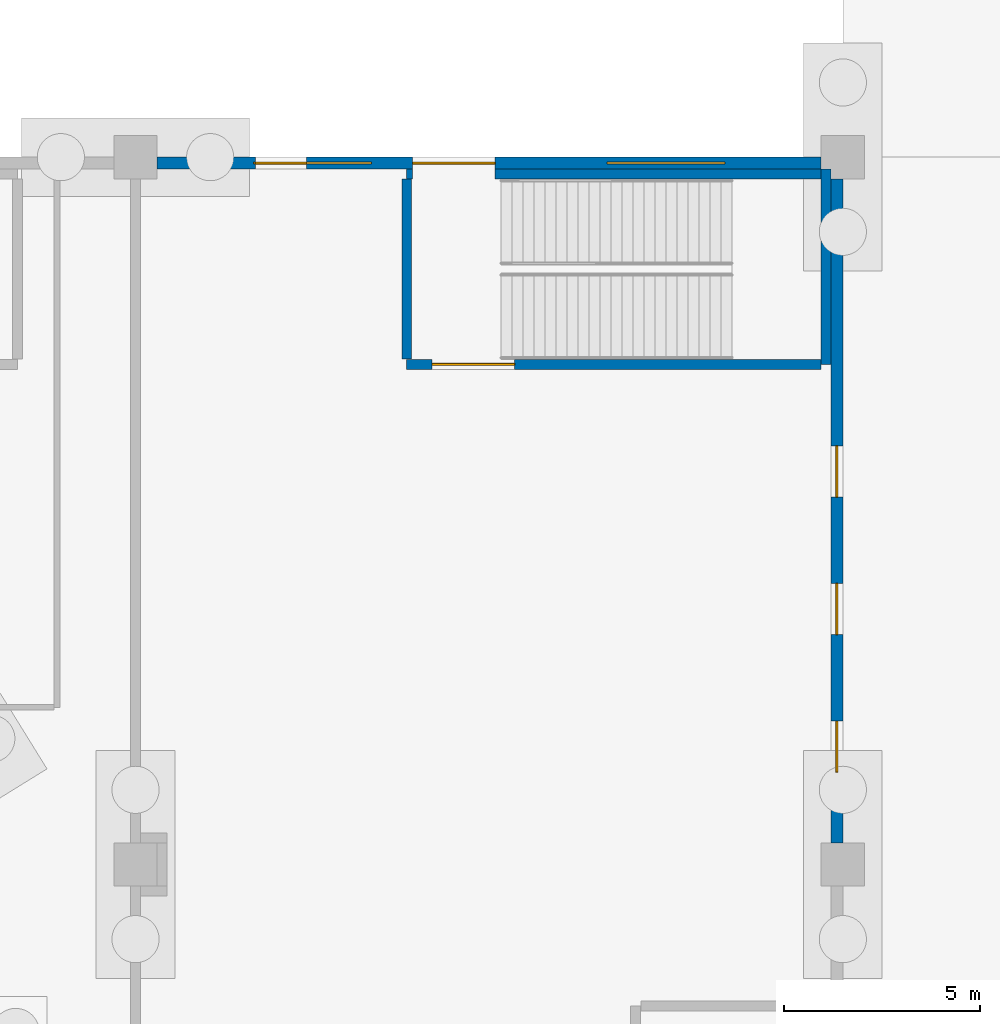
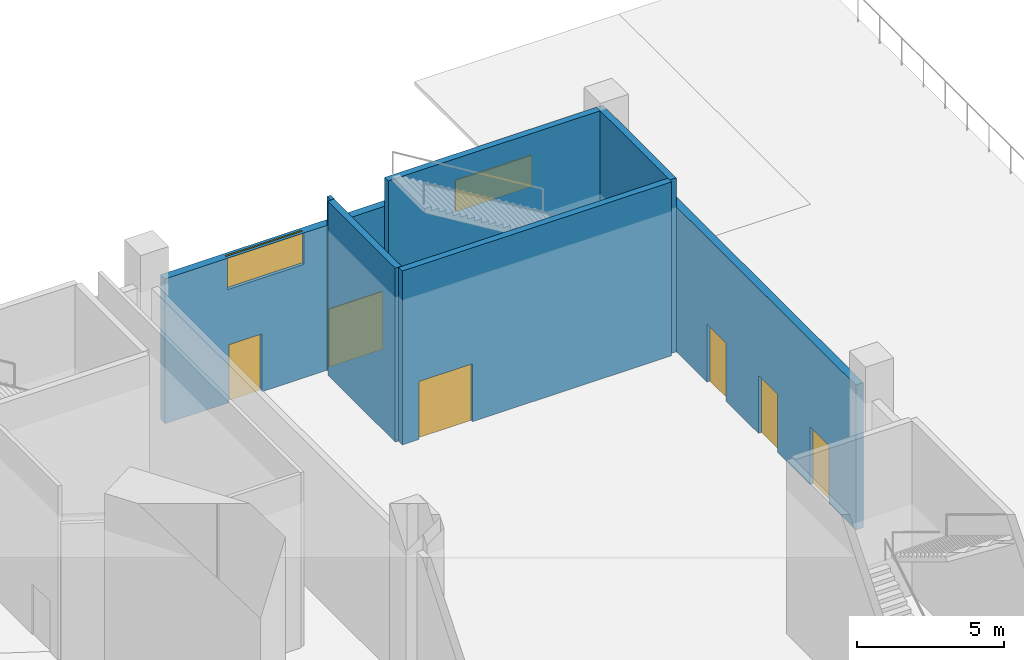
# One storey, part 11 of 16: 7 walls, 6 doors, 2 windows, 8 openings.
"""IFC4 building model written with IfcOpenShell, lengths in metres."""

from ifc_helpers import new_model, si_unit, direction, frame, frame_2d, origin, place, context, subcontext, project, spatial, rectangle, extrude, material, layer, layer_set, type_object, element, fill, save


model = new_model("IFC4")

# Units and contexts
model_context = context("Model", 3, precision=1e-05, world=origin(), true_north=direction((0.0, 1.0)))
body_context = subcontext(model_context, "Body", "Model", "MODEL_VIEW")
ifc_project = project(units=[si_unit("LENGTHUNIT", "METRE"), si_unit("AREAUNIT", "SQUARE_METRE"), si_unit("VOLUMEUNIT", "CUBIC_METRE"), si_unit("PLANEANGLEUNIT", "RADIAN"), si_unit("MASSUNIT", "GRAM", prefix="KILO")], contexts=[model_context])

# Site, building, storey
site_placement = place(None, origin())
site = spatial("IfcSite", under=ifc_project, at=site_placement, CompositionType="ELEMENT")
building_placement = place(site_placement, origin())
building = spatial("IfcBuilding", under=site, at=building_placement, Name="Vanh Sen Convention Tower", CompositionType="ELEMENT")
storey_placement = place(building_placement, origin())
storey = spatial("IfcBuildingStorey", under=building, at=storey_placement, Name="L00", CompositionType="ELEMENT", Elevation=0.0)

# Wall, opening, door
ifc_material_1 = material(Name="Concrete C40/50", Category="concrete")
ifc_layer_1 = layer(ifc_material_1, 0.25)
ifc_layer_set_1 = layer_set([ifc_layer_1], Name="Concrete C40/50")
wall_type_1 = type_object("IfcWallType", Name="Concrete wall 250 REI 180", PredefinedType="SOLIDWALL", material=ifc_layer_set_1)
wall_1_placement = place(storey_placement, frame((44.43994140625, 21.72509765625, 0.0), z_axis=(0.0, 0.0, 1.0), x_axis=(-1.0, 0.0, 0.0)))
wall_1 = element("IfcWall", 1, at=wall_1_placement, inside=storey, type_object=wall_type_1, Name="Fire-resisting wall L00-075", PredefinedType="SOLIDWALL", context=body_context, shape_type="SweptSolid", body=[
    extrude(rectangle(XDim=10.5400390625, YDim=0.25, at=frame_2d((5.27001953125, 0.0))), origin(), (0.0, 0.0, 1.0), 7.199951171875),
])
opening_1_placement = place(wall_1_placement, frame((7.7900390625, 0.0, 0.0)))
opening_1 = element("IfcOpeningElement", 2, at=opening_1_placement, cuts=wall_1, Name="Opening D00115", PredefinedType="OPENING", context=body_context, shape_type="SweptSolid", body=[
    extrude(rectangle(XDim=2.10009765625, YDim=2.39990234375, at=frame_2d((1.050048828125, 1.199951171875))), frame((0.0, 0.135009765625, 0.0), z_axis=(0.0, -1.0, 0.0), x_axis=(1.0, 0.0, 0.0)), (0.0, 0.0, 1.0), 0.27001953125),
])
ifc_material_2 = material(Name="Steel S355", Category="steel")
door_type_1 = type_object("IfcDoorType", Name="Stair door 2100 EI 60", OperationType="DOUBLE_DOOR_SINGLE_SWING", PredefinedType="DOOR", material=ifc_material_2)
door_1_placement = place(opening_1_placement, frame((2.10009765625, 0.0, 0.0), z_axis=(0.0, 0.0, 1.0), x_axis=(-1.0, 0.0, 0.0)))
door_1 = element("IfcDoor", 3, at=door_1_placement, inside=storey, type_object=door_type_1, Name="Stair door D00115", OperationType="DOUBLE_DOOR_SINGLE_SWING", OverallHeight=2.39990234375, OverallWidth=2.10009765625, PredefinedType="DOOR", context=body_context, shape_type="SweptSolid", body=[
    extrude(rectangle(XDim=2.10009765625, YDim=2.39990234375, at=frame_2d((1.050048828125, 1.199951171875))), frame((0.0, 0.02490234375, 0.0), z_axis=(0.0, -1.0, 0.0), x_axis=(1.0, 0.0, 0.0)), (0.0, 0.0, 1.0), 0.050048828125),
])
fill(opening_1, door_1)

# Walls
wall_2_placement = place(storey_placement, frame((33.89990234375, 21.864990234375, 0.0), z_axis=(0.0, 0.0, 1.0), x_axis=(0.0, 1.0, 0.0)))
element("IfcWall", 4, at=wall_2_placement, inside=storey, type_object=wall_type_1, Name="Fire-resisting wall L00-079", PredefinedType="SOLIDWALL", context=body_context, shape_type="SweptSolid", body=[
    extrude(rectangle(XDim=4.574951171875, YDim=0.25, at=frame_2d((2.28759765625, 0.0))), origin(), (0.0, 0.0, 1.0), 7.199951171875),
])
wall_3_placement = place(storey_placement, frame((44.574951171875, 21.72509765625, 0.0), z_axis=(0.0, 0.0, 1.0), x_axis=(0.0, 1.0, 0.0)))
element("IfcWall", 5, at=wall_3_placement, inside=storey, type_object=wall_type_1, Name="Stair enclosure wall PS1 L00", PredefinedType="SOLIDWALL", context=body_context, shape_type="SweptSolid", body=[
    extrude(rectangle(XDim=4.974853515625, YDim=0.25, at=frame_2d((2.4873046875, 0.0))), origin(), (0.0, 0.0, 1.0), 7.199951171875),
])
wall_4_placement = place(storey_placement, frame((44.449951171875, 26.574951171875, 0.0), z_axis=(0.0, 0.0, 1.0), x_axis=(-1.0, 0.0, 0.0)))
element("IfcWall", 6, at=wall_4_placement, inside=storey, type_object=wall_type_1, Name="Stair enclosure wall PS1 L00", PredefinedType="SOLIDWALL", context=body_context, shape_type="SweptSolid", body=[
    extrude(rectangle(XDim=8.300048828125, YDim=0.25, at=frame_2d((4.14990234375, 0.0))), origin(), (0.0, 0.0, 1.0), 7.199951171875),
])
wall_5_placement = place(storey_placement, frame((34.050048828125, 26.574951171875, 0.0), z_axis=(0.0, 0.0, 1.0), x_axis=(-1.0, 0.0, 0.0)))
element("IfcWall", 7, at=wall_5_placement, inside=storey, type_object=wall_type_1, Name="Stair enclosure wall PS1 L00", PredefinedType="SOLIDWALL", context=body_context, shape_type="SweptSolid", body=[
    extrude(rectangle(XDim=0.150146484375, YDim=0.25, at=frame_2d((0.0751953125, 0.0))), origin(), (0.0, 0.0, 1.0), 7.199951171875),
])

# Wall, openings, doors
ifc_material_3 = material(Name="Aluminium-framed structural glazing with clear glass", Category="aluminium")
ifc_layer_2 = layer(ifc_material_3, 0.300048828125)
ifc_layer_set_2 = layer_set([ifc_layer_2], Name="Aluminium-framed structural glazing with clear glass")
wall_type_2 = type_object("IfcWallType", Name="Entrance glazed wall 300", PredefinedType="STANDARD", material=ifc_layer_set_2)
wall_6_placement = place(storey_placement, frame((44.85009765625, 9.550048828125, 0.0), z_axis=(0.0, 0.0, 1.0), x_axis=(0.0, 1.0, 0.0)))
wall_6 = element("IfcWall", 8, at=wall_6_placement, inside=storey, type_object=wall_type_2, Name="Podium wall E3 L00", PredefinedType="STANDARD", context=body_context, shape_type="SweptSolid", body=[
    extrude(rectangle(XDim=16.89990234375, YDim=0.300048828125, at=frame_2d((8.449951171875, 0.0))), origin(), (0.0, 0.0, 1.0), 6.0),
])
opening_2_placement = place(wall_6_placement, frame((1.800048828125, 0.0, 0.0)))
opening_2 = element("IfcOpeningElement", 9, at=opening_2_placement, cuts=wall_6, Name="Opening EX01", PredefinedType="OPENING", context=body_context, shape_type="SweptSolid", body=[
    extrude(rectangle(XDim=1.300048828125, YDim=2.39990234375, at=frame_2d((0.64990234375, 1.199951171875))), frame((0.0, 0.159912109375, 0.0), z_axis=(0.0, -1.0, 0.0), x_axis=(1.0, 0.0, 0.0)), (0.0, 0.0, 1.0), 0.320068359375),
])
opening_3_placement = place(wall_6_placement, frame((5.300048828125, 0.0, 0.0)))
opening_3 = element("IfcOpeningElement", 10, at=opening_3_placement, cuts=wall_6, Name="Opening EX02", PredefinedType="OPENING", context=body_context, shape_type="SweptSolid", body=[
    extrude(rectangle(XDim=1.300048828125, YDim=2.39990234375, at=frame_2d((0.64990234375, 1.199951171875))), frame((0.0, 0.159912109375, 0.0), z_axis=(0.0, -1.0, 0.0), x_axis=(1.0, 0.0, 0.0)), (0.0, 0.0, 1.0), 0.320068359375),
])
opening_4_placement = place(wall_6_placement, frame((8.800048828125, 0.0, 0.0)))
opening_4 = element("IfcOpeningElement", 11, at=opening_4_placement, cuts=wall_6, Name="Opening EX03", PredefinedType="OPENING", context=body_context, shape_type="SweptSolid", body=[
    extrude(rectangle(XDim=1.300048828125, YDim=2.39990234375, at=frame_2d((0.64990234375, 1.199951171875))), frame((0.0, 0.159912109375, 0.0), z_axis=(0.0, -1.0, 0.0), x_axis=(1.0, 0.0, 0.0)), (0.0, 0.0, 1.0), 0.320068359375),
])
ifc_material_4 = material(Name="Aluminium and glass entrance door", Category="aluminium")
door_type_2 = type_object("IfcDoorType", Name="Entrance door 1300", OperationType="SINGLE_SWING_LEFT", PredefinedType="DOOR", material=ifc_material_4)
door_2_placement = place(opening_2_placement, frame((1.300048828125, 0.0, 0.0), z_axis=(0.0, 0.0, 1.0), x_axis=(-1.0, 0.0, 0.0)))
door_2 = element("IfcDoor", 12, at=door_2_placement, inside=storey, type_object=door_type_2, Name="Entrance door EX01", OperationType="SINGLE_SWING_RIGHT", OverallHeight=2.39990234375, OverallWidth=1.300048828125, PredefinedType="DOOR", context=body_context, shape_type="SweptSolid", body=[
    extrude(rectangle(XDim=1.300048828125, YDim=2.39990234375, at=frame_2d((0.64990234375, 1.199951171875))), frame((0.0, 0.02490234375, 0.0), z_axis=(0.0, -1.0, 0.0), x_axis=(1.0, 0.0, 0.0)), (0.0, 0.0, 1.0), 0.050048828125),
])
fill(opening_2, door_2)
door_3_placement = place(opening_3_placement, frame((1.300048828125, 0.0, 0.0), z_axis=(0.0, 0.0, 1.0), x_axis=(-1.0, 0.0, 0.0)))
door_3 = element("IfcDoor", 13, at=door_3_placement, inside=storey, type_object=door_type_2, Name="Entrance door EX02", OperationType="SINGLE_SWING_RIGHT", OverallHeight=2.39990234375, OverallWidth=1.300048828125, PredefinedType="DOOR", context=body_context, shape_type="SweptSolid", body=[
    extrude(rectangle(XDim=1.300048828125, YDim=2.39990234375, at=frame_2d((0.64990234375, 1.199951171875))), frame((0.0, 0.02490234375, 0.0), z_axis=(0.0, -1.0, 0.0), x_axis=(1.0, 0.0, 0.0)), (0.0, 0.0, 1.0), 0.050048828125),
])
fill(opening_3, door_3)
door_4_placement = place(opening_4_placement, frame((1.300048828125, 0.0, 0.0), z_axis=(0.0, 0.0, 1.0), x_axis=(-1.0, 0.0, 0.0)))
door_4 = element("IfcDoor", 14, at=door_4_placement, inside=storey, type_object=door_type_2, Name="Entrance door EX03", OperationType="SINGLE_SWING_RIGHT", OverallHeight=2.39990234375, OverallWidth=1.300048828125, PredefinedType="DOOR", context=body_context, shape_type="SweptSolid", body=[
    extrude(rectangle(XDim=1.300048828125, YDim=2.39990234375, at=frame_2d((0.64990234375, 1.199951171875))), frame((0.0, 0.02490234375, 0.0), z_axis=(0.0, -1.0, 0.0), x_axis=(1.0, 0.0, 0.0)), (0.0, 0.0, 1.0), 0.050048828125),
])
fill(opening_4, door_4)

# Wall, openings, doors, windows
ifc_material_5 = material(Name="Concrete C50/60", Category="concrete")
ifc_layer_3 = layer(ifc_material_5, 0.300048828125)
ifc_layer_set_3 = layer_set([ifc_layer_3], Name="Concrete C50/60")
wall_type_3 = type_object("IfcWallType", Name="Podium wall 300", PredefinedType="STANDARD", material=ifc_layer_set_3)
wall_7_placement = place(storey_placement, frame((44.449951171875, 26.85009765625, 0.0), z_axis=(0.0, 0.0, 1.0), x_axis=(-1.0, 0.0, 0.0)))
wall_7 = element("IfcWall", 15, at=wall_7_placement, inside=storey, type_object=wall_type_3, Name="Podium wall N1 L00", PredefinedType="STANDARD", context=body_context, shape_type="SweptSolid", body=[
    extrude(rectangle(XDim=16.89990234375, YDim=0.300048828125, at=frame_2d((8.449951171875, 0.0))), origin(), (0.0, 0.0, 1.0), 6.0),
])
opening_5_placement = place(wall_7_placement, frame((2.449951171875, 0.0, 4.699951171875)))
opening_5 = element("IfcOpeningElement", 16, at=opening_5_placement, cuts=wall_7, Name="Opening WP1-N1", PredefinedType="OPENING", context=body_context, shape_type="SweptSolid", body=[
    extrude(rectangle(XDim=3.0, YDim=1.300048828125, at=frame_2d((1.5, 0.64990234375))), frame((0.0, 0.159912109375, 0.0), z_axis=(0.0, -1.0, 0.0), x_axis=(1.0, 0.0, 0.0)), (0.0, 0.0, 1.0), 0.320068359375),
])
opening_6_placement = place(wall_7_placement, frame((11.449951171875, 0.0, 4.699951171875)))
opening_6 = element("IfcOpeningElement", 17, at=opening_6_placement, cuts=wall_7, Name="Opening WP1-N2", PredefinedType="OPENING", context=body_context, shape_type="SweptSolid", body=[
    extrude(rectangle(XDim=3.0, YDim=1.300048828125, at=frame_2d((1.5, 0.64990234375))), frame((0.0, 0.159912109375, 0.0), z_axis=(0.0, -1.0, 0.0), x_axis=(1.0, 0.0, 0.0)), (0.0, 0.0, 1.0), 0.320068359375),
])
opening_7_placement = place(wall_7_placement, frame((13.10009765625, 0.0, 0.0)))
opening_7 = element("IfcOpeningElement", 18, at=opening_7_placement, cuts=wall_7, Name="Opening EX07", PredefinedType="OPENING", context=body_context, shape_type="SweptSolid", body=[
    extrude(rectangle(XDim=1.300048828125, YDim=2.39990234375, at=frame_2d((0.64990234375, 1.199951171875))), frame((0.0, 0.159912109375, 0.0), z_axis=(0.0, -1.0, 0.0), x_axis=(1.0, 0.0, 0.0)), (0.0, 0.0, 1.0), 0.320068359375),
])
opening_8_placement = place(wall_7_placement, frame((8.300048828125, 0.0, 0.0)))
opening_8 = element("IfcOpeningElement", 19, at=opening_8_placement, cuts=wall_7, Name="Opening PD1", PredefinedType="OPENING", context=body_context, shape_type="SweptSolid", body=[
    extrude(rectangle(XDim=2.10009765625, YDim=2.39990234375, at=frame_2d((1.050048828125, 1.199951171875))), frame((0.0, 0.159912109375, 0.0), z_axis=(0.0, -1.0, 0.0), x_axis=(1.0, 0.0, 0.0)), (0.0, 0.0, 1.0), 0.320068359375),
])
door_5_placement = place(opening_7_placement, frame((1.300048828125, 0.0, 0.0), z_axis=(0.0, 0.0, 1.0), x_axis=(-1.0, 0.0, 0.0)))
door_5 = element("IfcDoor", 20, at=door_5_placement, inside=storey, type_object=door_type_2, Name="Entrance door EX07", OperationType="SINGLE_SWING_RIGHT", OverallHeight=2.39990234375, OverallWidth=1.300048828125, PredefinedType="DOOR", context=body_context, shape_type="SweptSolid", body=[
    extrude(rectangle(XDim=1.300048828125, YDim=2.39990234375, at=frame_2d((0.64990234375, 1.199951171875))), frame((0.0, 0.02490234375, 0.0), z_axis=(0.0, -1.0, 0.0), x_axis=(1.0, 0.0, 0.0)), (0.0, 0.0, 1.0), 0.050048828125),
])
fill(opening_7, door_5)
door_type_3 = type_object("IfcDoorType", Name="Entrance door 2100", OperationType="DOUBLE_DOOR_SINGLE_SWING", PredefinedType="DOOR", material=ifc_material_4)
door_6_placement = place(opening_8_placement, frame((2.10009765625, 0.0, 0.0), z_axis=(0.0, 0.0, 1.0), x_axis=(-1.0, 0.0, 0.0)))
door_6 = element("IfcDoor", 21, at=door_6_placement, inside=storey, type_object=door_type_3, Name="Entrance door PD1", OperationType="DOUBLE_DOOR_SINGLE_SWING", OverallHeight=2.39990234375, OverallWidth=2.10009765625, PredefinedType="DOOR", context=body_context, shape_type="SweptSolid", body=[
    extrude(rectangle(XDim=2.10009765625, YDim=2.39990234375, at=frame_2d((1.050048828125, 1.199951171875))), frame((0.0, 0.02490234375, 0.0), z_axis=(0.0, -1.0, 0.0), x_axis=(1.0, 0.0, 0.0)), (0.0, 0.0, 1.0), 0.050048828125),
])
fill(opening_8, door_6)
ifc_material_6 = material(Name="Aluminium frame with clear low-emissivity glass", Category="aluminium")
window_type = type_object("IfcWindowType", Name="Podium window 3000 x 1300", PartitioningType="SINGLE_PANEL", PredefinedType="WINDOW", material=ifc_material_6)
window_1_placement = place(opening_5_placement, origin())
window_1 = element("IfcWindow", 22, at=window_1_placement, inside=storey, type_object=window_type, Name="Window WP1-N1", OverallHeight=1.300048828125, OverallWidth=3.0, PartitioningType="SINGLE_PANEL", PredefinedType="WINDOW", context=body_context, shape_type="SweptSolid", body=[
    extrude(rectangle(XDim=3.0, YDim=1.300048828125, at=frame_2d((1.5, 0.64990234375))), frame((0.0, 0.030029296875, 0.0), z_axis=(0.0, -1.0, 0.0), x_axis=(1.0, 0.0, 0.0)), (0.0, 0.0, 1.0), 0.06005859375),
])
fill(opening_5, window_1)
window_2_placement = place(opening_6_placement, origin())
window_2 = element("IfcWindow", 23, at=window_2_placement, inside=storey, type_object=window_type, Name="Window WP1-N2", OverallHeight=1.300048828125, OverallWidth=3.0, PartitioningType="SINGLE_PANEL", PredefinedType="WINDOW", context=body_context, shape_type="SweptSolid", body=[
    extrude(rectangle(XDim=3.0, YDim=1.300048828125, at=frame_2d((1.5, 0.64990234375))), frame((0.0, 0.030029296875, 0.0), z_axis=(0.0, -1.0, 0.0), x_axis=(1.0, 0.0, 0.0)), (0.0, 0.0, 1.0), 0.06005859375),
])
fill(opening_6, window_2)

save(model, "model.ifc")
